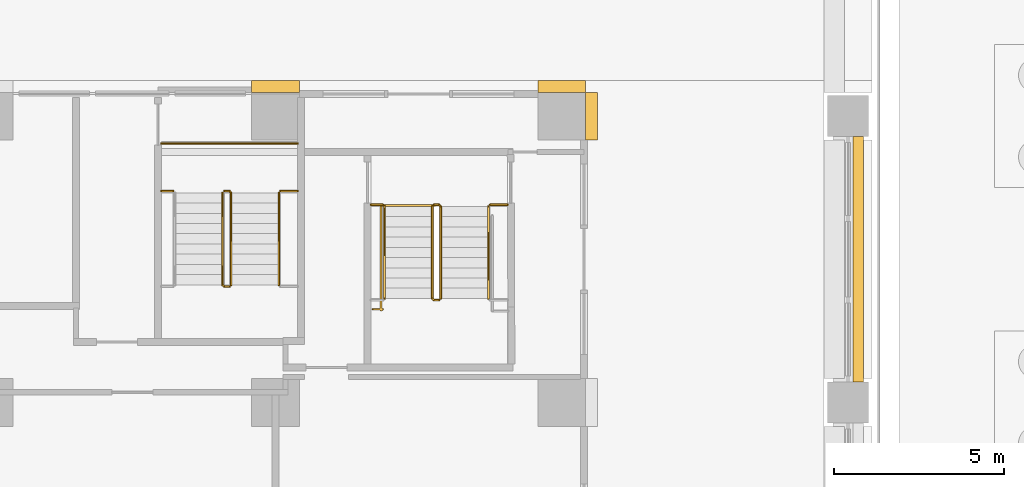
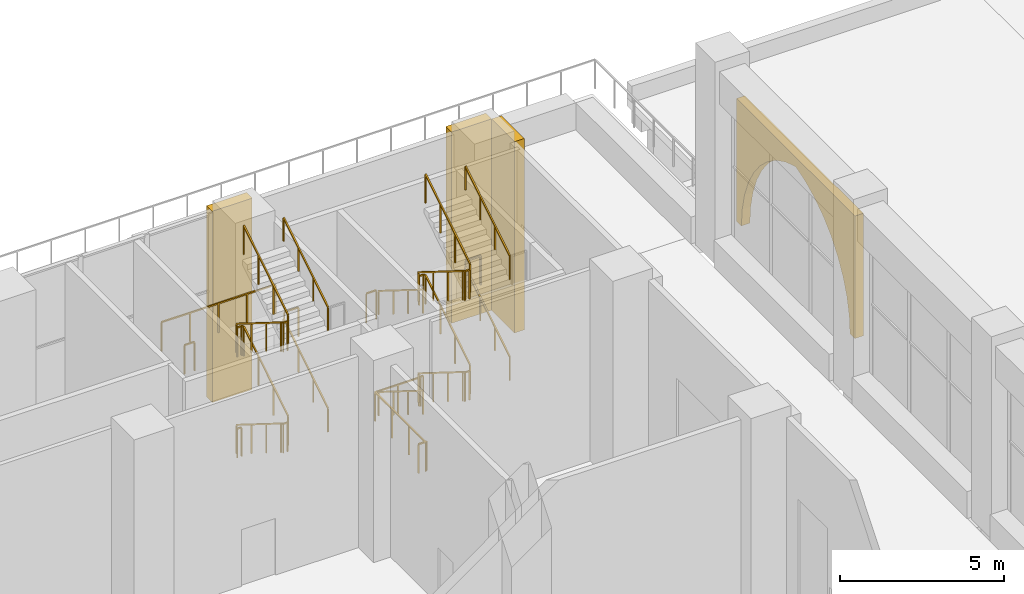
# One storey, part 53 of 53: 22 railings, 4 coverings.
"""IFC4 building model written with IfcOpenShell, lengths in metres."""

from ifc_helpers import new_model, si_unit, direction, frame, origin, origin_2d, place, context, subcontext, project, spatial, polyline, rectangle, outline, extrude, material, type_object, element, save


model = new_model("IFC4")

# Units and contexts
model_context = context("Model", 3, precision=1e-05, world=origin(), true_north=direction((0.0, 1.0)))
body_context = subcontext(model_context, "Body", "Model", "MODEL_VIEW")
ifc_project = project(units=[si_unit("LENGTHUNIT", "METRE"), si_unit("AREAUNIT", "SQUARE_METRE"), si_unit("VOLUMEUNIT", "CUBIC_METRE"), si_unit("PLANEANGLEUNIT", "RADIAN"), si_unit("MASSUNIT", "GRAM", prefix="KILO")], contexts=[model_context])

# Site, building, storey
site_placement = place(None, origin())
site = spatial("IfcSite", under=ifc_project, at=site_placement, CompositionType="ELEMENT")
building_placement = place(site_placement, origin())
building = spatial("IfcBuilding", under=site, at=building_placement, Name="Vermilion Ogive Tower", CompositionType="ELEMENT")
storey_placement = place(building_placement, origin())
storey = spatial("IfcBuildingStorey", under=building, at=storey_placement, Name="L00", CompositionType="ELEMENT", Elevation=0.0)

# Covering
ifc_material_1 = material(Name="Stone cladding", Category="masonry")
covering_type_1 = type_object("IfcCoveringType", Name="Arcade ogive head", PredefinedType="CLADDING", material=ifc_material_1)
covering_1_placement = place(storey_placement, frame((58.949951171875, 25.199951171875, 5.89990234375), z_axis=(1.0, 0.0, 0.0), x_axis=(0.0, 1.0, 0.0)))
element("IfcCovering", 1, at=covering_1_placement, inside=storey, type_object=covering_type_1, Name="Arcade stone head L00 7", PredefinedType="CLADDING", context=body_context, shape_type="SweptSolid", body=[
    extrude(outline(polyline([(-3.300048828125, -4.550048828125), (-3.252685546875, -3.91259765625), (-3.112060546875, -3.2890625), (-2.880859375, -2.693115234375), (-2.564453125, -2.137939453125), (-2.169677734375, -1.63525390625), (-1.704833984375, -1.196533203125), (-1.1806640625, -0.830810546875), (-0.608154296875, -0.546630859375), (0.0, -0.35009765625), (0.608154296875, -0.546630859375), (1.1806640625, -0.830810546875), (1.704833984375, -1.196533203125), (2.169677734375, -1.63525390625), (2.564453125, -2.137939453125), (2.880859375, -2.693115234375), (3.112060546875, -3.2890625), (3.252685546875, -3.91259765625), (3.300048828125, -4.550048828125), (3.60009765625, -4.550048828125), (3.60009765625, 0.0), (-3.60009765625, 0.0), (-3.60009765625, -4.550048828125), (-3.300048828125, -4.550048828125)])), origin(), (0.0, 0.0, 1.0), 0.300048828125),
])

# Railings
ifc_material_2 = material(Name="Steel S355 painted", Category="steel")
railing_type_1 = type_object("IfcRailingType", Name="Stair guard 1100", PredefinedType="GUARDRAIL", material=ifc_material_2)
railing_1_placement = place(storey_placement, frame((40.449951171875, 27.14990234375, 0.1875)))
element("IfcRailing", 2, at=railing_1_placement, inside=storey, type_object=railing_type_1, Name="L00 PS2 stair guard 1", PredefinedType="GUARDRAIL", context=body_context, shape_type="SweptSolid", body=[
    extrude(rectangle(XDim=0.048095703125, YDim=0.048095703125, at=origin_2d()), frame((0.0, 0.0, 1.076171875), z_axis=(0.0, -0.847993996163, 0.530005832488), x_axis=(1.0, 0.0, 0.0)), (0.0, 0.0, 1.0), 3.183837890625),
    extrude(rectangle(XDim=0.048095703125, YDim=0.048095703125, at=origin_2d()), frame((0.0, -2.699951171875, 2.763671875), z_axis=(0.707106781187, -0.707106781187, 0.0), x_axis=(0.707106781187, 0.707106781187, 0.0)), (0.0, 0.0, 1.0), 0.07080078125),
    extrude(rectangle(XDim=0.048095703125, YDim=0.048095703125, at=origin_2d()), frame((0.050048828125, -2.75, 2.763671875), z_axis=(1.0, 0.0, 0.0), x_axis=(0.0, 1.0, 0.0)), (0.0, 0.0, 1.0), 0.14990234375),
    extrude(rectangle(XDim=0.0419921875, YDim=0.0419921875, at=origin_2d()), origin(), (0.0, 0.0, 1.0), 1.052001953125),
    extrude(rectangle(XDim=0.0419921875, YDim=0.0419921875, at=origin_2d()), frame((0.0, -0.89990234375, 0.5625)), (0.0, 0.0, 1.0), 1.052001953125),
    extrude(rectangle(XDim=0.0419921875, YDim=0.0419921875, at=origin_2d()), frame((0.0, -1.800048828125, 1.125)), (0.0, 0.0, 1.0), 1.052001953125),
    extrude(rectangle(XDim=0.0419921875, YDim=0.0419921875, at=origin_2d()), frame((0.0, -2.699951171875, 1.6875)), (0.0, 0.0, 1.0), 1.052001953125),
    extrude(rectangle(XDim=0.0419921875, YDim=0.0419921875, at=origin_2d()), frame((0.050048828125, -2.75, 1.6875)), (0.0, 0.0, 1.0), 1.052001953125),
    extrude(rectangle(XDim=0.0419921875, YDim=0.0419921875, at=origin_2d()), frame((0.199951171875, -2.75, 1.6875)), (0.0, 0.0, 1.0), 1.052001953125),
])
railing_2_placement = place(storey_placement, frame((40.699951171875, 24.449951171875, 2.0625)))
element("IfcRailing", 3, at=railing_2_placement, inside=storey, type_object=railing_type_1, Name="L00 PS2 stair guard 3", PredefinedType="GUARDRAIL", context=body_context, shape_type="SweptSolid", body=[
    extrude(rectangle(XDim=0.048095703125, YDim=0.048095703125, at=origin_2d()), frame((0.0, 0.0, 1.076171875), z_axis=(0.0, 0.847993996163, 0.530005832488), x_axis=(-1.0, 0.0, 0.0)), (0.0, 0.0, 1.0), 3.183837890625),
    extrude(rectangle(XDim=0.048095703125, YDim=0.048095703125, at=origin_2d()), frame((0.0, 2.699951171875, 2.763671875), z_axis=(-0.707106781187, 0.707106781187, 0.0), x_axis=(-0.707106781187, -0.707106781187, 0.0)), (0.0, 0.0, 1.0), 0.07080078125),
    extrude(rectangle(XDim=0.048095703125, YDim=0.048095703125, at=origin_2d()), frame((-0.050048828125, 2.75, 2.763671875), z_axis=(-1.0, 0.0, 0.0), x_axis=(0.0, -1.0, 0.0)), (0.0, 0.0, 1.0), 0.14990234375),
    extrude(rectangle(XDim=0.0419921875, YDim=0.0419921875, at=origin_2d()), origin(), (0.0, 0.0, 1.0), 1.052001953125),
    extrude(rectangle(XDim=0.0419921875, YDim=0.0419921875, at=origin_2d()), frame((0.0, 0.89990234375, 0.5625)), (0.0, 0.0, 1.0), 1.052001953125),
    extrude(rectangle(XDim=0.0419921875, YDim=0.0419921875, at=origin_2d()), frame((0.0, 1.800048828125, 1.125)), (0.0, 0.0, 1.0), 1.052001953125),
    extrude(rectangle(XDim=0.0419921875, YDim=0.0419921875, at=origin_2d()), frame((0.0, 2.699951171875, 1.6875)), (0.0, 0.0, 1.0), 1.052001953125),
    extrude(rectangle(XDim=0.0419921875, YDim=0.0419921875, at=origin_2d()), frame((-0.050048828125, 2.75, 1.6875)), (0.0, 0.0, 1.0), 1.052001953125),
    extrude(rectangle(XDim=0.0419921875, YDim=0.0419921875, at=origin_2d()), frame((-0.199951171875, 2.75, 1.6875)), (0.0, 0.0, 1.0), 1.052001953125),
])
railing_3_placement = place(storey_placement, frame((40.449951171875, 27.14990234375, 3.9375)))
element("IfcRailing", 4, at=railing_3_placement, inside=storey, type_object=railing_type_1, Name="L00 PS2 stair guard 5", PredefinedType="GUARDRAIL", context=body_context, shape_type="SweptSolid", body=[
    extrude(rectangle(XDim=0.048095703125, YDim=0.048095703125, at=origin_2d()), frame((0.0, 0.0, 1.076171875), z_axis=(0.0, -0.847993996163, 0.530005832488), x_axis=(1.0, 0.0, 0.0)), (0.0, 0.0, 1.0), 3.183837890625),
    extrude(rectangle(XDim=0.048095703125, YDim=0.048095703125, at=origin_2d()), frame((0.0, -2.699951171875, 2.763671875), z_axis=(0.707106781187, -0.707106781187, 0.0), x_axis=(0.707106781187, 0.707106781187, 0.0)), (0.0, 0.0, 1.0), 0.07080078125),
    extrude(rectangle(XDim=0.048095703125, YDim=0.048095703125, at=origin_2d()), frame((0.050048828125, -2.75, 2.763671875), z_axis=(1.0, 0.0, 0.0), x_axis=(0.0, 1.0, 0.0)), (0.0, 0.0, 1.0), 0.14990234375),
    extrude(rectangle(XDim=0.0419921875, YDim=0.0419921875, at=origin_2d()), origin(), (0.0, 0.0, 1.0), 1.052001953125),
    extrude(rectangle(XDim=0.0419921875, YDim=0.0419921875, at=origin_2d()), frame((0.0, -0.89990234375, 0.5625)), (0.0, 0.0, 1.0), 1.052001953125),
    extrude(rectangle(XDim=0.0419921875, YDim=0.0419921875, at=origin_2d()), frame((0.0, -1.800048828125, 1.125)), (0.0, 0.0, 1.0), 1.052001953125),
    extrude(rectangle(XDim=0.0419921875, YDim=0.0419921875, at=origin_2d()), frame((0.0, -2.699951171875, 1.6875)), (0.0, 0.0, 1.0), 1.052001953125),
    extrude(rectangle(XDim=0.0419921875, YDim=0.0419921875, at=origin_2d()), frame((0.050048828125, -2.75, 1.6875)), (0.0, 0.0, 1.0), 1.052001953125),
    extrude(rectangle(XDim=0.0419921875, YDim=0.0419921875, at=origin_2d()), frame((0.199951171875, -2.75, 1.6875)), (0.0, 0.0, 1.0), 1.052001953125),
])
railing_4_placement = place(storey_placement, frame((40.699951171875, 24.449951171875, 5.8125)))
element("IfcRailing", 5, at=railing_4_placement, inside=storey, type_object=railing_type_1, Name="L00 PS2 stair guard 7", PredefinedType="GUARDRAIL", context=body_context, shape_type="SweptSolid", body=[
    extrude(rectangle(XDim=0.048095703125, YDim=0.048095703125, at=origin_2d()), frame((0.0, 0.0, 1.076171875), z_axis=(0.0, 0.847993996163, 0.530005832488), x_axis=(-1.0, 0.0, 0.0)), (0.0, 0.0, 1.0), 3.183837890625),
    extrude(rectangle(XDim=0.0419921875, YDim=0.0419921875, at=origin_2d()), origin(), (0.0, 0.0, 1.0), 1.052001953125),
    extrude(rectangle(XDim=0.0419921875, YDim=0.0419921875, at=origin_2d()), frame((0.0, 0.89990234375, 0.5625)), (0.0, 0.0, 1.0), 1.052001953125),
    extrude(rectangle(XDim=0.0419921875, YDim=0.0419921875, at=origin_2d()), frame((0.0, 1.800048828125, 1.125)), (0.0, 0.0, 1.0), 1.052001953125),
    extrude(rectangle(XDim=0.0419921875, YDim=0.0419921875, at=origin_2d()), frame((0.0, 2.699951171875, 1.6875)), (0.0, 0.0, 1.0), 1.052001953125),
])
railing_5_placement = place(storey_placement, frame((40.5, 27.199951171875, 0.0)))
element("IfcRailing", 6, at=railing_5_placement, inside=storey, type_object=railing_type_1, Name="L00 PS2 stair guard 8", PredefinedType="GUARDRAIL", context=body_context, shape_type="SweptSolid", body=[
    extrude(rectangle(XDim=0.048095703125, YDim=0.048095703125, at=origin_2d()), frame((0.0, 0.0, 1.076171875), z_axis=(1.0, 0.0, 0.0), x_axis=(0.0, 1.0, 0.0)), (0.0, 0.0, 1.0), 0.14990234375),
    extrude(rectangle(XDim=0.0419921875, YDim=0.0419921875, at=origin_2d()), origin(), (0.0, 0.0, 1.0), 1.052001953125),
    extrude(rectangle(XDim=0.0419921875, YDim=0.0419921875, at=origin_2d()), frame((0.14990234375, 0.0, 0.0)), (0.0, 0.0, 1.0), 1.052001953125),
])
railing_6_placement = place(storey_placement, frame((46.60009765625, 26.75, 0.1875)))
element("IfcRailing", 7, at=railing_6_placement, inside=storey, type_object=railing_type_1, Name="L00 PEN stair guard 1", PredefinedType="GUARDRAIL", context=body_context, shape_type="SweptSolid", body=[
    extrude(rectangle(XDim=0.048095703125, YDim=0.048095703125, at=origin_2d()), frame((0.0, 0.0, 1.076171875), z_axis=(0.0, -0.847993996163, 0.530005832488), x_axis=(1.0, 0.0, 0.0)), (0.0, 0.0, 1.0), 3.183837890625),
    extrude(rectangle(XDim=0.048095703125, YDim=0.048095703125, at=origin_2d()), frame((0.0, -2.699951171875, 2.763671875), z_axis=(0.705375805398, -0.708833529934, 0.0), x_axis=(0.708833529934, 0.705375805398, 0.0)), (0.0, 0.0, 1.0), 0.070556640625),
    extrude(rectangle(XDim=0.048095703125, YDim=0.048095703125, at=origin_2d()), frame((0.0498046875, -2.75, 2.763671875), z_axis=(1.0, 0.0, 0.0), x_axis=(0.0, 1.0, 0.0)), (0.0, 0.0, 1.0), 0.150146484375),
    extrude(rectangle(XDim=0.0419921875, YDim=0.0419921875, at=origin_2d()), origin(), (0.0, 0.0, 1.0), 1.052001953125),
    extrude(rectangle(XDim=0.0419921875, YDim=0.0419921875, at=origin_2d()), frame((0.0, -0.89990234375, 0.5625)), (0.0, 0.0, 1.0), 1.052001953125),
    extrude(rectangle(XDim=0.0419921875, YDim=0.0419921875, at=origin_2d()), frame((0.0, -1.800048828125, 1.125)), (0.0, 0.0, 1.0), 1.052001953125),
    extrude(rectangle(XDim=0.0419921875, YDim=0.0419921875, at=origin_2d()), frame((0.0, -2.699951171875, 1.6875)), (0.0, 0.0, 1.0), 1.052001953125),
    extrude(rectangle(XDim=0.0419921875, YDim=0.0419921875, at=origin_2d()), frame((0.0498046875, -2.75, 1.6875)), (0.0, 0.0, 1.0), 1.052001953125),
    extrude(rectangle(XDim=0.0419921875, YDim=0.0419921875, at=origin_2d()), frame((0.199951171875, -2.75, 1.6875)), (0.0, 0.0, 1.0), 1.052001953125),
])
railing_7_placement = place(storey_placement, frame((46.85009765625, 24.050048828125, 2.0625)))
element("IfcRailing", 8, at=railing_7_placement, inside=storey, type_object=railing_type_1, Name="L00 PEN stair guard 3", PredefinedType="GUARDRAIL", context=body_context, shape_type="SweptSolid", body=[
    extrude(rectangle(XDim=0.048095703125, YDim=0.048095703125, at=origin_2d()), frame((0.0, 0.0, 1.076171875), z_axis=(0.0, 0.847993996163, 0.530005832488), x_axis=(-1.0, 0.0, 0.0)), (0.0, 0.0, 1.0), 3.183837890625),
    extrude(rectangle(XDim=0.048095703125, YDim=0.048095703125, at=origin_2d()), frame((0.0, 2.699951171875, 2.763671875), z_axis=(-0.707106781187, 0.707106781187, 0.0), x_axis=(-0.707106781187, -0.707106781187, 0.0)), (0.0, 0.0, 1.0), 0.07080078125),
    extrude(rectangle(XDim=0.048095703125, YDim=0.048095703125, at=origin_2d()), frame((-0.050048828125, 2.75, 2.763671875), z_axis=(-1.0, 0.0, 0.0), x_axis=(0.0, -1.0, 0.0)), (0.0, 0.0, 1.0), 0.150146484375),
    extrude(rectangle(XDim=0.0419921875, YDim=0.0419921875, at=origin_2d()), origin(), (0.0, 0.0, 1.0), 1.052001953125),
    extrude(rectangle(XDim=0.0419921875, YDim=0.0419921875, at=origin_2d()), frame((0.0, 0.89990234375, 0.5625)), (0.0, 0.0, 1.0), 1.052001953125),
    extrude(rectangle(XDim=0.0419921875, YDim=0.0419921875, at=origin_2d()), frame((0.0, 1.800048828125, 1.125)), (0.0, 0.0, 1.0), 1.052001953125),
    extrude(rectangle(XDim=0.0419921875, YDim=0.0419921875, at=origin_2d()), frame((0.0, 2.699951171875, 1.6875)), (0.0, 0.0, 1.0), 1.052001953125),
    extrude(rectangle(XDim=0.0419921875, YDim=0.0419921875, at=origin_2d()), frame((-0.050048828125, 2.75, 1.6875)), (0.0, 0.0, 1.0), 1.052001953125),
    extrude(rectangle(XDim=0.0419921875, YDim=0.0419921875, at=origin_2d()), frame((-0.2001953125, 2.75, 1.6875)), (0.0, 0.0, 1.0), 1.052001953125),
])
railing_8_placement = place(storey_placement, frame((46.60009765625, 26.75, 3.9375)))
element("IfcRailing", 9, at=railing_8_placement, inside=storey, type_object=railing_type_1, Name="L00 PEN stair guard 5", PredefinedType="GUARDRAIL", context=body_context, shape_type="SweptSolid", body=[
    extrude(rectangle(XDim=0.048095703125, YDim=0.048095703125, at=origin_2d()), frame((0.0, 0.0, 1.076171875), z_axis=(0.0, -0.847993996163, 0.530005832488), x_axis=(1.0, 0.0, 0.0)), (0.0, 0.0, 1.0), 3.183837890625),
    extrude(rectangle(XDim=0.048095703125, YDim=0.048095703125, at=origin_2d()), frame((0.0, -2.699951171875, 2.763671875), z_axis=(0.705375805398, -0.708833529934, 0.0), x_axis=(0.708833529934, 0.705375805398, 0.0)), (0.0, 0.0, 1.0), 0.070556640625),
    extrude(rectangle(XDim=0.048095703125, YDim=0.048095703125, at=origin_2d()), frame((0.0498046875, -2.75, 2.763671875), z_axis=(1.0, 0.0, 0.0), x_axis=(0.0, 1.0, 0.0)), (0.0, 0.0, 1.0), 0.150146484375),
    extrude(rectangle(XDim=0.0419921875, YDim=0.0419921875, at=origin_2d()), origin(), (0.0, 0.0, 1.0), 1.052001953125),
    extrude(rectangle(XDim=0.0419921875, YDim=0.0419921875, at=origin_2d()), frame((0.0, -0.89990234375, 0.5625)), (0.0, 0.0, 1.0), 1.052001953125),
    extrude(rectangle(XDim=0.0419921875, YDim=0.0419921875, at=origin_2d()), frame((0.0, -1.800048828125, 1.125)), (0.0, 0.0, 1.0), 1.052001953125),
    extrude(rectangle(XDim=0.0419921875, YDim=0.0419921875, at=origin_2d()), frame((0.0, -2.699951171875, 1.6875)), (0.0, 0.0, 1.0), 1.052001953125),
    extrude(rectangle(XDim=0.0419921875, YDim=0.0419921875, at=origin_2d()), frame((0.0498046875, -2.75, 1.6875)), (0.0, 0.0, 1.0), 1.052001953125),
    extrude(rectangle(XDim=0.0419921875, YDim=0.0419921875, at=origin_2d()), frame((0.199951171875, -2.75, 1.6875)), (0.0, 0.0, 1.0), 1.052001953125),
])
railing_9_placement = place(storey_placement, frame((46.85009765625, 24.050048828125, 5.8125)))
element("IfcRailing", 10, at=railing_9_placement, inside=storey, type_object=railing_type_1, Name="L00 PEN stair guard 7", PredefinedType="GUARDRAIL", context=body_context, shape_type="SweptSolid", body=[
    extrude(rectangle(XDim=0.048095703125, YDim=0.048095703125, at=origin_2d()), frame((0.0, 0.0, 1.076171875), z_axis=(0.0, 0.847993996163, 0.530005832488), x_axis=(-1.0, 0.0, 0.0)), (0.0, 0.0, 1.0), 3.183837890625),
    extrude(rectangle(XDim=0.0419921875, YDim=0.0419921875, at=origin_2d()), origin(), (0.0, 0.0, 1.0), 1.052001953125),
    extrude(rectangle(XDim=0.0419921875, YDim=0.0419921875, at=origin_2d()), frame((0.0, 0.89990234375, 0.5625)), (0.0, 0.0, 1.0), 1.052001953125),
    extrude(rectangle(XDim=0.0419921875, YDim=0.0419921875, at=origin_2d()), frame((0.0, 1.800048828125, 1.125)), (0.0, 0.0, 1.0), 1.052001953125),
    extrude(rectangle(XDim=0.0419921875, YDim=0.0419921875, at=origin_2d()), frame((0.0, 2.699951171875, 1.6875)), (0.0, 0.0, 1.0), 1.052001953125),
])
railing_10_placement = place(storey_placement, frame((46.64990234375, 26.800048828125, 0.0)))
element("IfcRailing", 11, at=railing_10_placement, inside=storey, type_object=railing_type_1, Name="L00 PEN stair guard 8", PredefinedType="GUARDRAIL", context=body_context, shape_type="SweptSolid", body=[
    extrude(rectangle(XDim=0.048095703125, YDim=0.048095703125, at=origin_2d()), frame((0.0, 0.0, 1.076171875), z_axis=(1.0, 0.0, 0.0), x_axis=(0.0, 1.0, 0.0)), (0.0, 0.0, 1.0), 0.150146484375),
    extrude(rectangle(XDim=0.0419921875, YDim=0.0419921875, at=origin_2d()), origin(), (0.0, 0.0, 1.0), 1.052001953125),
    extrude(rectangle(XDim=0.0419921875, YDim=0.0419921875, at=origin_2d()), frame((0.150146484375, 0.0, 0.0)), (0.0, 0.0, 1.0), 1.052001953125),
])
railing_11_placement = place(storey_placement, frame((38.650146484375, 28.60009765625, 3.75)))
element("IfcRailing", 12, at=railing_11_placement, inside=storey, type_object=railing_type_1, Name="L00 landing guard", PredefinedType="GUARDRAIL", context=body_context, shape_type="SweptSolid", body=[
    extrude(rectangle(XDim=0.048095703125, YDim=0.048095703125, at=origin_2d()), frame((0.0, 0.0, 1.076171875), z_axis=(1.0, 0.0, 0.0), x_axis=(0.0, 1.0, 0.0)), (0.0, 0.0, 1.0), 3.999755859375),
    extrude(rectangle(XDim=0.0419921875, YDim=0.0419921875, at=origin_2d()), origin(), (0.0, 0.0, 1.0), 1.052001953125),
    extrude(rectangle(XDim=0.0419921875, YDim=0.0419921875, at=origin_2d()), frame((1.0, 0.0, 0.0)), (0.0, 0.0, 1.0), 1.052001953125),
    extrude(rectangle(XDim=0.0419921875, YDim=0.0419921875, at=origin_2d()), frame((2.0, 0.0, 0.0)), (0.0, 0.0, 1.0), 1.052001953125),
    extrude(rectangle(XDim=0.0419921875, YDim=0.0419921875, at=origin_2d()), frame((2.999755859375, 0.0, 0.0)), (0.0, 0.0, 1.0), 1.052001953125),
    extrude(rectangle(XDim=0.0419921875, YDim=0.0419921875, at=origin_2d()), frame((3.999755859375, 0.0, 0.0)), (0.0, 0.0, 1.0), 1.052001953125),
])
railing_12_placement = place(storey_placement, frame((38.650146484375, 27.199951171875, 3.75)))
element("IfcRailing", 13, at=railing_12_placement, inside=storey, type_object=railing_type_1, Name="L00 landing guard", PredefinedType="GUARDRAIL", context=body_context, shape_type="SweptSolid", body=[
    extrude(rectangle(XDim=0.048095703125, YDim=0.048095703125, at=origin_2d()), frame((0.0, 0.0, 1.076171875), z_axis=(1.0, 0.0, 0.0), x_axis=(0.0, 1.0, 0.0)), (0.0, 0.0, 1.0), 0.349853515625),
    extrude(rectangle(XDim=0.0419921875, YDim=0.0419921875, at=origin_2d()), origin(), (0.0, 0.0, 1.0), 1.052001953125),
    extrude(rectangle(XDim=0.0419921875, YDim=0.0419921875, at=origin_2d()), frame((0.349853515625, 0.0, 0.0)), (0.0, 0.0, 1.0), 1.052001953125),
])
railing_13_placement = place(storey_placement, frame((42.14990234375, 27.199951171875, 3.75)))
element("IfcRailing", 14, at=railing_13_placement, inside=storey, type_object=railing_type_1, Name="L00 landing guard", PredefinedType="GUARDRAIL", context=body_context, shape_type="SweptSolid", body=[
    extrude(rectangle(XDim=0.048095703125, YDim=0.048095703125, at=origin_2d()), frame((0.0, 0.0, 1.076171875), z_axis=(1.0, 0.0, 0.0), x_axis=(0.0, 1.0, 0.0)), (0.0, 0.0, 1.0), 0.5),
    extrude(rectangle(XDim=0.0419921875, YDim=0.0419921875, at=origin_2d()), origin(), (0.0, 0.0, 1.0), 1.052001953125),
    extrude(rectangle(XDim=0.0419921875, YDim=0.0419921875, at=origin_2d()), frame((0.5, 0.0, 0.0)), (0.0, 0.0, 1.0), 1.052001953125),
])
railing_14_placement = place(storey_placement, frame((44.800048828125, 26.800048828125, 3.75)))
element("IfcRailing", 15, at=railing_14_placement, inside=storey, type_object=railing_type_1, Name="L00 landing guard", PredefinedType="GUARDRAIL", context=body_context, shape_type="SweptSolid", body=[
    extrude(rectangle(XDim=0.048095703125, YDim=0.048095703125, at=origin_2d()), frame((0.0, 0.0, 1.076171875), z_axis=(1.0, 0.0, 0.0), x_axis=(0.0, 1.0, 0.0)), (0.0, 0.0, 1.0), 0.349853515625),
    extrude(rectangle(XDim=0.0419921875, YDim=0.0419921875, at=origin_2d()), origin(), (0.0, 0.0, 1.0), 1.052001953125),
    extrude(rectangle(XDim=0.0419921875, YDim=0.0419921875, at=origin_2d()), frame((0.349853515625, 0.0, 0.0)), (0.0, 0.0, 1.0), 1.052001953125),
])
railing_15_placement = place(storey_placement, frame((48.300048828125, 26.800048828125, 3.75)))
element("IfcRailing", 16, at=railing_15_placement, inside=storey, type_object=railing_type_1, Name="L00 landing guard", PredefinedType="GUARDRAIL", context=body_context, shape_type="SweptSolid", body=[
    extrude(rectangle(XDim=0.048095703125, YDim=0.048095703125, at=origin_2d()), frame((0.0, 0.0, 1.076171875), z_axis=(1.0, 0.0, 0.0), x_axis=(0.0, 1.0, 0.0)), (0.0, 0.0, 1.0), 0.512451171875),
    extrude(rectangle(XDim=0.0419921875, YDim=0.0419921875, at=origin_2d()), origin(), (0.0, 0.0, 1.0), 1.052001953125),
    extrude(rectangle(XDim=0.0419921875, YDim=0.0419921875, at=origin_2d()), frame((0.512451171875, 0.0, 0.0)), (0.0, 0.0, 1.0), 1.052001953125),
])
railing_16_placement = place(storey_placement, frame((44.860107421875, 23.72998046875, 0.0)))
element("IfcRailing", 17, at=railing_16_placement, inside=storey, type_object=railing_type_1, Name="L00 stair opening guard", PredefinedType="GUARDRAIL", context=body_context, shape_type="SweptSolid", body=[
    extrude(rectangle(XDim=0.048095703125, YDim=0.048095703125, at=origin_2d()), frame((0.0, 0.0, 1.076171875), z_axis=(1.0, 0.0, 0.0), x_axis=(0.0, 1.0, 0.0)), (0.0, 0.0, 1.0), 0.289794921875),
    extrude(rectangle(XDim=0.048095703125, YDim=0.048095703125, at=origin_2d()), frame((0.289794921875, 0.0, 1.076171875), z_axis=(-0.855408581095, -0.517953819746, 0.0), x_axis=(0.517953819746, -0.855408581095, 0.0)), (0.0, 0.0, 1.0), 0.062255859375),
    extrude(rectangle(XDim=0.048095703125, YDim=0.048095703125, at=origin_2d()), frame((0.236572265625, -0.0322265625, 1.076171875), z_axis=(0.0, 1.0, 0.0), x_axis=(-1.0, 0.0, 0.0)), (0.0, 0.0, 1.0), 3.079833984375),
    extrude(rectangle(XDim=0.048095703125, YDim=0.048095703125, at=origin_2d()), frame((0.236572265625, 3.047607421875, 1.076171875), z_axis=(1.0, 0.0, 0.0), x_axis=(0.0, 1.0, 0.0)), (0.0, 0.0, 1.0), 1.60009765625),
    extrude(rectangle(XDim=0.0419921875, YDim=0.0419921875, at=origin_2d()), origin(), (0.0, 0.0, 1.0), 1.052001953125),
    extrude(rectangle(XDim=0.0419921875, YDim=0.0419921875, at=origin_2d()), frame((0.289794921875, 0.0, 0.0)), (0.0, 0.0, 1.0), 1.052001953125),
    extrude(rectangle(XDim=0.0419921875, YDim=0.0419921875, at=origin_2d()), frame((0.236572265625, -0.0322265625, 0.0)), (0.0, 0.0, 1.0), 1.052001953125),
    extrude(rectangle(XDim=0.0419921875, YDim=0.0419921875, at=origin_2d()), frame((0.236572265625, 0.994384765625, 0.0)), (0.0, 0.0, 1.0), 1.052001953125),
    extrude(rectangle(XDim=0.0419921875, YDim=0.0419921875, at=origin_2d()), frame((0.236572265625, 2.02099609375, 0.0)), (0.0, 0.0, 1.0), 1.052001953125),
    extrude(rectangle(XDim=0.0419921875, YDim=0.0419921875, at=origin_2d()), frame((0.236572265625, 3.047607421875, 0.0)), (0.0, 0.0, 1.0), 1.052001953125),
    extrude(rectangle(XDim=0.0419921875, YDim=0.0419921875, at=origin_2d()), frame((1.03662109375, 3.047607421875, 0.0)), (0.0, 0.0, 1.0), 1.052001953125),
    extrude(rectangle(XDim=0.0419921875, YDim=0.0419921875, at=origin_2d()), frame((1.836669921875, 3.047607421875, 0.0)), (0.0, 0.0, 1.0), 1.052001953125),
])
ifc_material_3 = material(Name="Stainless steel", Category="steel")
railing_type_2 = type_object("IfcRailingType", Name="Stair handrail 900", PredefinedType="HANDRAIL", material=ifc_material_3)
for number, where, name in (
    (18, (42.10009765625, 24.449951171875, 2.0625), "L00 PS2 stair handrail 2"),
    (19, (42.10009765625, 24.449951171875, 5.8125), "L00 PS2 stair handrail 4"),
):
    element("IfcRailing", number, at=place(storey_placement, frame(where)), inside=storey, type_object=railing_type_2, Name=name, PredefinedType="HANDRAIL", context=body_context, shape_type="SweptSolid", body=[
        extrude(rectangle(XDim=0.048095703125, YDim=0.048095703125, at=origin_2d()), frame((0.0, 0.0, 0.8759765625), z_axis=(0.0, 0.847993996163, 0.530005832488), x_axis=(-1.0, 0.0, 0.0)), (0.0, 0.0, 1.0), 3.183837890625),
        extrude(rectangle(XDim=0.0419921875, YDim=0.0419921875, at=origin_2d()), origin(), (0.0, 0.0, 1.0), 0.851806640625),
        extrude(rectangle(XDim=0.0419921875, YDim=0.0419921875, at=origin_2d()), frame((0.0, 0.89990234375, 0.5625)), (0.0, 0.0, 1.0), 0.851806640625),
        extrude(rectangle(XDim=0.0419921875, YDim=0.0419921875, at=origin_2d()), frame((0.0, 1.800048828125, 1.125)), (0.0, 0.0, 1.0), 0.851806640625),
        extrude(rectangle(XDim=0.0419921875, YDim=0.0419921875, at=origin_2d()), frame((0.0, 2.699951171875, 1.6875)), (0.0, 0.0, 1.0), 0.851806640625),
    ])
railing_17_placement = place(storey_placement, frame((45.199951171875, 26.75, 0.1875)))
element("IfcRailing", 20, at=railing_17_placement, inside=storey, type_object=railing_type_2, Name="L00 PEN stair handrail 1", PredefinedType="HANDRAIL", context=body_context, shape_type="SweptSolid", body=[
    extrude(rectangle(XDim=0.048095703125, YDim=0.048095703125, at=origin_2d()), frame((0.0, 0.0, 0.8759765625), z_axis=(0.0, -0.847993996163, 0.530005832488), x_axis=(1.0, 0.0, 0.0)), (0.0, 0.0, 1.0), 3.183837890625),
    extrude(rectangle(XDim=0.0419921875, YDim=0.0419921875, at=origin_2d()), origin(), (0.0, 0.0, 1.0), 0.851806640625),
    extrude(rectangle(XDim=0.0419921875, YDim=0.0419921875, at=origin_2d()), frame((0.0, -0.89990234375, 0.5625)), (0.0, 0.0, 1.0), 0.851806640625),
    extrude(rectangle(XDim=0.0419921875, YDim=0.0419921875, at=origin_2d()), frame((0.0, -1.800048828125, 1.125)), (0.0, 0.0, 1.0), 0.851806640625),
    extrude(rectangle(XDim=0.0419921875, YDim=0.0419921875, at=origin_2d()), frame((0.0, -2.699951171875, 1.6875)), (0.0, 0.0, 1.0), 0.851806640625),
])
railing_18_placement = place(storey_placement, frame((48.25, 24.050048828125, 2.0625)))
element("IfcRailing", 21, at=railing_18_placement, inside=storey, type_object=railing_type_2, Name="L00 PEN stair handrail 2", PredefinedType="HANDRAIL", context=body_context, shape_type="SweptSolid", body=[
    extrude(rectangle(XDim=0.048095703125, YDim=0.048095703125, at=origin_2d()), frame((0.0, 0.0, 0.8759765625), z_axis=(0.0, 0.847993996163, 0.530005832488), x_axis=(-1.0, 0.0, 0.0)), (0.0, 0.0, 1.0), 3.183837890625),
    extrude(rectangle(XDim=0.0419921875, YDim=0.0419921875, at=origin_2d()), origin(), (0.0, 0.0, 1.0), 0.851806640625),
    extrude(rectangle(XDim=0.0419921875, YDim=0.0419921875, at=origin_2d()), frame((0.0, 0.89990234375, 0.5625)), (0.0, 0.0, 1.0), 0.851806640625),
    extrude(rectangle(XDim=0.0419921875, YDim=0.0419921875, at=origin_2d()), frame((0.0, 1.800048828125, 1.125)), (0.0, 0.0, 1.0), 0.851806640625),
    extrude(rectangle(XDim=0.0419921875, YDim=0.0419921875, at=origin_2d()), frame((0.0, 2.699951171875, 1.6875)), (0.0, 0.0, 1.0), 0.851806640625),
])
railing_19_placement = place(storey_placement, frame((45.199951171875, 26.75, 3.9375)))
element("IfcRailing", 22, at=railing_19_placement, inside=storey, type_object=railing_type_2, Name="L00 PEN stair handrail 3", PredefinedType="HANDRAIL", context=body_context, shape_type="SweptSolid", body=[
    extrude(rectangle(XDim=0.048095703125, YDim=0.048095703125, at=origin_2d()), frame((0.0, 0.0, 0.8759765625), z_axis=(0.0, -0.847993996163, 0.530005832488), x_axis=(1.0, 0.0, 0.0)), (0.0, 0.0, 1.0), 3.183837890625),
    extrude(rectangle(XDim=0.0419921875, YDim=0.0419921875, at=origin_2d()), origin(), (0.0, 0.0, 1.0), 0.851806640625),
    extrude(rectangle(XDim=0.0419921875, YDim=0.0419921875, at=origin_2d()), frame((0.0, -0.89990234375, 0.5625)), (0.0, 0.0, 1.0), 0.851806640625),
    extrude(rectangle(XDim=0.0419921875, YDim=0.0419921875, at=origin_2d()), frame((0.0, -1.800048828125, 1.125)), (0.0, 0.0, 1.0), 0.851806640625),
    extrude(rectangle(XDim=0.0419921875, YDim=0.0419921875, at=origin_2d()), frame((0.0, -2.699951171875, 1.6875)), (0.0, 0.0, 1.0), 0.851806640625),
])
railing_20_placement = place(storey_placement, frame((48.25, 24.050048828125, 5.8125)))
element("IfcRailing", 23, at=railing_20_placement, inside=storey, type_object=railing_type_2, Name="L00 PEN stair handrail 4", PredefinedType="HANDRAIL", context=body_context, shape_type="SweptSolid", body=[
    extrude(rectangle(XDim=0.048095703125, YDim=0.048095703125, at=origin_2d()), frame((0.0, 0.0, 0.8759765625), z_axis=(0.0, 0.847993996163, 0.530005832488), x_axis=(-1.0, 0.0, 0.0)), (0.0, 0.0, 1.0), 3.183837890625),
    extrude(rectangle(XDim=0.0419921875, YDim=0.0419921875, at=origin_2d()), origin(), (0.0, 0.0, 1.0), 0.851806640625),
    extrude(rectangle(XDim=0.0419921875, YDim=0.0419921875, at=origin_2d()), frame((0.0, 0.89990234375, 0.5625)), (0.0, 0.0, 1.0), 0.851806640625),
    extrude(rectangle(XDim=0.0419921875, YDim=0.0419921875, at=origin_2d()), frame((0.0, 1.800048828125, 1.125)), (0.0, 0.0, 1.0), 0.851806640625),
    extrude(rectangle(XDim=0.0419921875, YDim=0.0419921875, at=origin_2d()), frame((0.0, 2.699951171875, 1.6875)), (0.0, 0.0, 1.0), 0.851806640625),
])

# Coverings
ifc_material_4 = material(Name="Stone cladding", Category="masonry")
covering_type_2 = type_object("IfcCoveringType", Name="Stone pier", PredefinedType="CLADDING", material=ifc_material_4)
covering_2_placement = place(storey_placement, origin())
element("IfcCovering", 24, at=covering_2_placement, inside=storey, type_object=covering_type_2, Name="Stone pier P+420+294", PredefinedType="CLADDING", context=body_context, shape_type="SweptSolid", body=[
    extrude(outline(polyline([(41.300048828125, 30.449951171875), (42.699951171875, 30.449951171875), (42.699951171875, 30.10009765625), (41.300048828125, 30.10009765625), (41.300048828125, 30.449951171875)])), origin(), (0.0, 0.0, 1.0), 7.10009765625),
])
covering_3_placement = place(storey_placement, origin())
element("IfcCovering", 25, at=covering_3_placement, inside=storey, type_object=covering_type_2, Name="Stone pier P+504+294E", PredefinedType="CLADDING", context=body_context, shape_type="SweptSolid", body=[
    extrude(outline(polyline([(51.10009765625, 30.10009765625), (51.10009765625, 30.10009765625), (51.449951171875, 30.10009765625), (51.449951171875, 28.699951171875), (51.10009765625, 28.699951171875), (51.10009765625, 28.699951171875), (51.10009765625, 30.10009765625)])), origin(), (0.0, 0.0, 1.0), 7.10009765625),
])
covering_4_placement = place(storey_placement, origin())
element("IfcCovering", 26, at=covering_4_placement, inside=storey, type_object=covering_type_2, Name="Stone pier P+504+294N", PredefinedType="CLADDING", context=body_context, shape_type="SweptSolid", body=[
    extrude(outline(polyline([(51.10009765625, 30.449951171875), (51.10009765625, 30.10009765625), (51.10009765625, 30.10009765625), (49.699951171875, 30.10009765625), (49.699951171875, 30.449951171875), (51.10009765625, 30.449951171875)])), origin(), (0.0, 0.0, 1.0), 7.10009765625),
])

save(model, "model.ifc")
